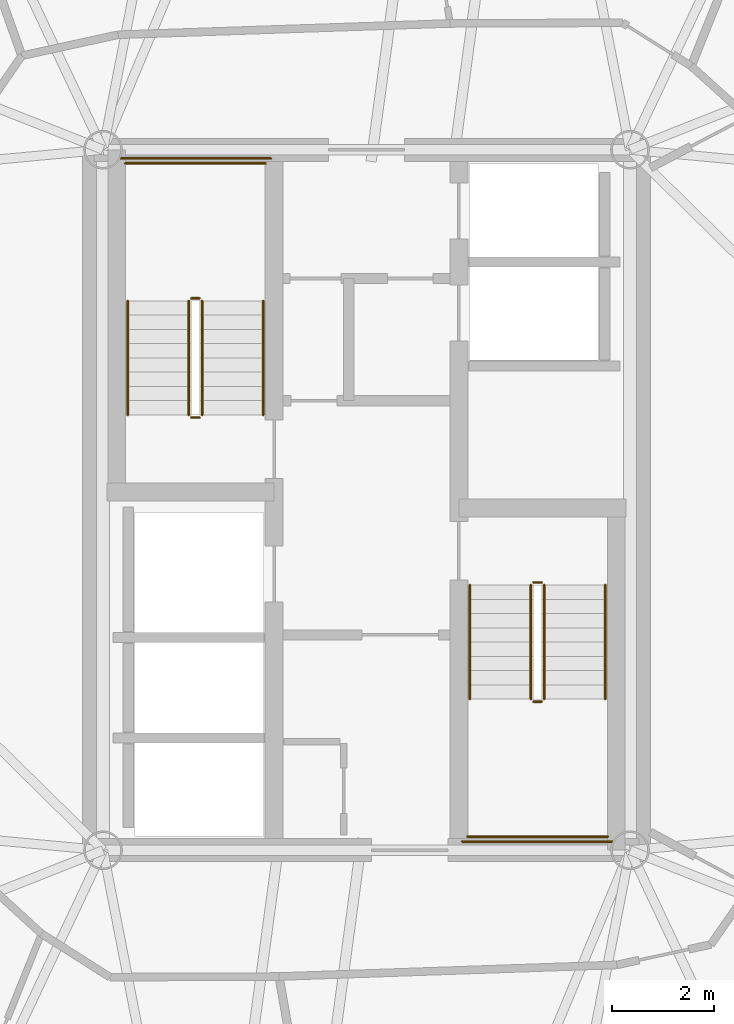
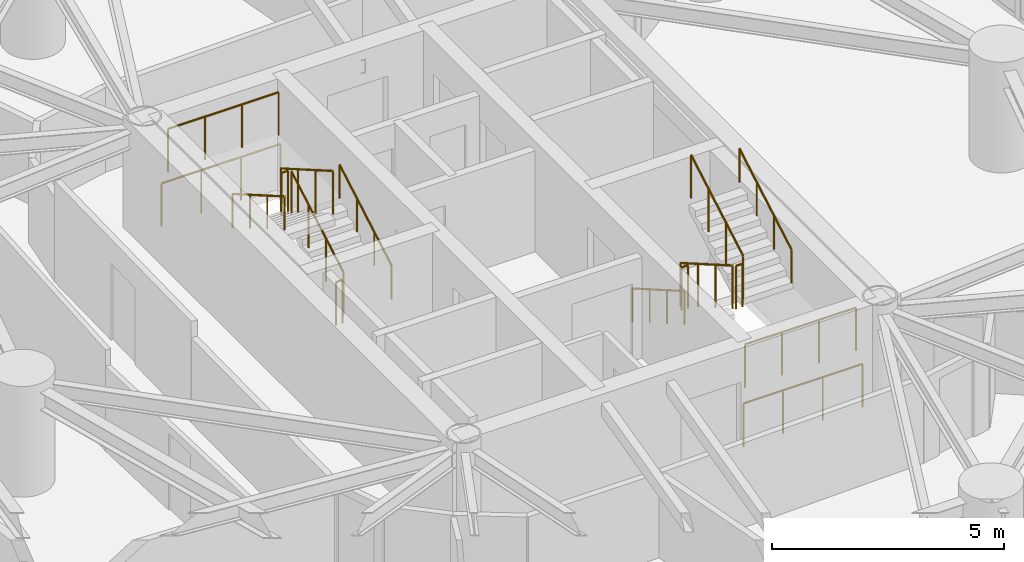
# One storey, part 16 of 17: 16 railings.
"""IFC4 building model written with IfcOpenShell, lengths in metres."""

from ifc_helpers import new_model, si_unit, direction, frame, origin, origin_2d, place, context, subcontext, project, spatial, circle, extrude, material, type_object, element, save


model = new_model("IFC4")

# Units and contexts
model_context = context("Model", 3, precision=1e-05, world=origin(), true_north=direction((0.0, 1.0)))
body_context = subcontext(model_context, "Body", "Model", "MODEL_VIEW")
ifc_project = project(units=[si_unit("LENGTHUNIT", "METRE"), si_unit("AREAUNIT", "SQUARE_METRE"), si_unit("VOLUMEUNIT", "CUBIC_METRE"), si_unit("PLANEANGLEUNIT", "RADIAN"), si_unit("MASSUNIT", "GRAM", prefix="KILO")], contexts=[model_context])

# Site, building, storey
site_placement = place(None, origin())
site = spatial("IfcSite", under=ifc_project, at=site_placement, CompositionType="ELEMENT")
building_placement = place(site_placement, origin())
building = spatial("IfcBuilding", under=site, at=building_placement, Name="Cununo Teusaquillo Station Towers", CompositionType="ELEMENT")
storey_placement = place(building_placement, frame((0.0, 0.0, 116.7099609375)))
storey = spatial("IfcBuildingStorey", under=building, at=storey_placement, Name="L37", CompositionType="ELEMENT", Elevation=116.7099609375)

# Railings
ifc_material_1 = material(Name="Steel EN 10025-2 S355J2", Category="steel")
railing_type_1 = type_object("IfcRailingType", Name="RL-INT-GUARD", PredefinedType="GUARDRAIL", material=ifc_material_1)
railing_1_placement = place(storey_placement, frame((13.27001953125, 26.169921875, 0.16162109375)))
element("IfcRailing", 1, at=railing_1_placement, inside=storey, type_object=railing_type_1, Name="L37 ST-T1-1 stair guard 1", PredefinedType="GUARDRAIL", context=body_context, shape_type="SweptSolid", body=[
    extrude(circle(Radius=0.02392578125, at=origin_2d()), frame((0.0, 0.0, 1.1259765625), z_axis=(0.0, 0.865992244559, 0.500057429065), x_axis=(-1.0, 0.0, 0.0)), (0.0, 0.0, 1.0), 2.586669921875),
    extrude(circle(Radius=0.02099609375, at=origin_2d()), origin(), (0.0, 0.0, 1.0), 1.101806640625),
    extrude(circle(Radius=0.02099609375, at=origin_2d()), frame((0.0, 0.74658203125, 0.43115234375)), (0.0, 0.0, 1.0), 1.101806640625),
    extrude(circle(Radius=0.02099609375, at=origin_2d()), frame((0.0, 1.493408203125, 0.8623046875)), (0.0, 0.0, 1.0), 1.101806640625),
    extrude(circle(Radius=0.02099609375, at=origin_2d()), frame((0.0, 2.239990234375, 1.29345703125)), (0.0, 0.0, 1.0), 1.101806640625),
])
railing_2_placement = place(storey_placement, frame((13.219970703125, 28.4599609375, 1.455078125)))
element("IfcRailing", 2, at=railing_2_placement, inside=storey, type_object=railing_type_1, Name="L37 ST-T1-1 stair guard 2", PredefinedType="GUARDRAIL", context=body_context, shape_type="SweptSolid", body=[
    extrude(circle(Radius=0.02392578125, at=origin_2d()), frame((0.0, 0.0, 1.1259765625), z_axis=(-1.0, 0.0, 0.0), x_axis=(0.0, -1.0, 0.0)), (0.0, 0.0, 1.0), 0.159912109375),
    extrude(circle(Radius=0.02099609375, at=origin_2d()), origin(), (0.0, 0.0, 1.0), 1.101806640625),
    extrude(circle(Radius=0.02099609375, at=origin_2d()), frame((-0.159912109375, 0.0, 0.0)), (0.0, 0.0, 1.0), 1.101806640625),
])
railing_3_placement = place(storey_placement, frame((14.52001953125, 31.110107421875, 1.455078125)))
element("IfcRailing", 3, at=railing_3_placement, inside=storey, type_object=railing_type_1, Name="L37 ST-T1-1 stair guard 3", PredefinedType="GUARDRAIL", context=body_context, shape_type="SweptSolid", body=[
    extrude(circle(Radius=0.02392578125, at=origin_2d()), frame((0.0, 0.0, 1.1259765625), z_axis=(-1.0, 0.0, 0.0), x_axis=(0.0, -1.0, 0.0)), (0.0, 0.0, 1.0), 2.760009765625),
    extrude(circle(Radius=0.02099609375, at=origin_2d()), origin(), (0.0, 0.0, 1.0), 1.101806640625),
    extrude(circle(Radius=0.02099609375, at=origin_2d()), frame((-0.919921875, 0.0, 0.0)), (0.0, 0.0, 1.0), 1.101806640625),
    extrude(circle(Radius=0.02099609375, at=origin_2d()), frame((-1.840087890625, 0.0, 0.0)), (0.0, 0.0, 1.0), 1.101806640625),
    extrude(circle(Radius=0.02099609375, at=origin_2d()), frame((-2.760009765625, 0.0, 0.0)), (0.0, 0.0, 1.0), 1.101806640625),
])
railing_4_placement = place(storey_placement, frame((13.010009765625, 28.409912109375, 1.61669921875)))
element("IfcRailing", 4, at=railing_4_placement, inside=storey, type_object=railing_type_1, Name="L37 ST-T1-1 stair guard 4", PredefinedType="GUARDRAIL", context=body_context, shape_type="SweptSolid", body=[
    extrude(circle(Radius=0.02392578125, at=origin_2d()), frame((0.0, 0.0, 1.1259765625), z_axis=(0.0, -0.865992244559, 0.500057429065), x_axis=(1.0, 0.0, 0.0)), (0.0, 0.0, 1.0), 2.586669921875),
    extrude(circle(Radius=0.02099609375, at=origin_2d()), origin(), (0.0, 0.0, 1.0), 1.101806640625),
    extrude(circle(Radius=0.02099609375, at=origin_2d()), frame((0.0, -0.74658203125, 0.43115234375)), (0.0, 0.0, 1.0), 1.101806640625),
    extrude(circle(Radius=0.02099609375, at=origin_2d()), frame((0.0, -1.493408203125, 0.8623046875)), (0.0, 0.0, 1.0), 1.101806640625),
    extrude(circle(Radius=0.02099609375, at=origin_2d()), frame((0.0, -2.239990234375, 1.29345703125)), (0.0, 0.0, 1.0), 1.101806640625),
])
railing_5_placement = place(storey_placement, frame((13.219970703125, 26.1201171875, 0.0)))
element("IfcRailing", 5, at=railing_5_placement, inside=storey, type_object=railing_type_1, Name="L37 ST-T1-1 stair guard 5", PredefinedType="GUARDRAIL", context=body_context, shape_type="SweptSolid", body=[
    extrude(circle(Radius=0.02392578125, at=origin_2d()), frame((0.0, 0.0, 1.1259765625), z_axis=(-1.0, 0.0, 0.0), x_axis=(0.0, -1.0, 0.0)), (0.0, 0.0, 1.0), 0.159912109375),
    extrude(circle(Radius=0.02099609375, at=origin_2d()), origin(), (0.0, 0.0, 1.0), 1.101806640625),
    extrude(circle(Radius=0.02099609375, at=origin_2d()), frame((-0.159912109375, 0.0, 0.0)), (0.0, 0.0, 1.0), 1.101806640625),
])
railing_6_placement = place(storey_placement, frame((14.6201171875, 31.2099609375, 0.0)))
element("IfcRailing", 6, at=railing_6_placement, inside=storey, type_object=railing_type_1, Name="L37 ST-T1-1 stair guard 6", PredefinedType="GUARDRAIL", context=body_context, shape_type="SweptSolid", body=[
    extrude(circle(Radius=0.02392578125, at=origin_2d()), frame((0.0, 0.0, 1.1259765625), z_axis=(-1.0, 0.0, 0.0), x_axis=(0.0, -1.0, 0.0)), (0.0, 0.0, 1.0), 2.960205078125),
    extrude(circle(Radius=0.02099609375, at=origin_2d()), origin(), (0.0, 0.0, 1.0), 1.101806640625),
    extrude(circle(Radius=0.02099609375, at=origin_2d()), frame((-0.98681640625, 0.0, 0.0)), (0.0, 0.0, 1.0), 1.101806640625),
    extrude(circle(Radius=0.02099609375, at=origin_2d()), frame((-1.973388671875, 0.0, 0.0)), (0.0, 0.0, 1.0), 1.101806640625),
    extrude(circle(Radius=0.02099609375, at=origin_2d()), frame((-2.960205078125, 0.0, 0.0)), (0.0, 0.0, 1.0), 1.101806640625),
])
railing_7_placement = place(storey_placement, frame((19.72998046875, 22.830078125, 0.16162109375)))
element("IfcRailing", 7, at=railing_7_placement, inside=storey, type_object=railing_type_1, Name="L37 ST-T1-2 stair guard 1", PredefinedType="GUARDRAIL", context=body_context, shape_type="SweptSolid", body=[
    extrude(circle(Radius=0.02392578125, at=origin_2d()), frame((0.0, 0.0, 1.1259765625), z_axis=(0.0, -0.865992244559, 0.500057429065), x_axis=(1.0, 0.0, 0.0)), (0.0, 0.0, 1.0), 2.586669921875),
    extrude(circle(Radius=0.02099609375, at=origin_2d()), origin(), (0.0, 0.0, 1.0), 1.101806640625),
    extrude(circle(Radius=0.02099609375, at=origin_2d()), frame((0.0, -0.74658203125, 0.43115234375)), (0.0, 0.0, 1.0), 1.101806640625),
    extrude(circle(Radius=0.02099609375, at=origin_2d()), frame((0.0, -1.493408203125, 0.8623046875)), (0.0, 0.0, 1.0), 1.101806640625),
    extrude(circle(Radius=0.02099609375, at=origin_2d()), frame((0.0, -2.239990234375, 1.29345703125)), (0.0, 0.0, 1.0), 1.101806640625),
])
railing_8_placement = place(storey_placement, frame((19.780029296875, 20.5400390625, 1.455078125)))
element("IfcRailing", 8, at=railing_8_placement, inside=storey, type_object=railing_type_1, Name="L37 ST-T1-2 stair guard 2", PredefinedType="GUARDRAIL", context=body_context, shape_type="SweptSolid", body=[
    extrude(circle(Radius=0.02392578125, at=origin_2d()), frame((0.0, 0.0, 1.1259765625), z_axis=(1.0, 0.0, 0.0), x_axis=(0.0, 1.0, 0.0)), (0.0, 0.0, 1.0), 0.159912109375),
    extrude(circle(Radius=0.02099609375, at=origin_2d()), origin(), (0.0, 0.0, 1.0), 1.101806640625),
    extrude(circle(Radius=0.02099609375, at=origin_2d()), frame((0.159912109375, 0.0, 0.0)), (0.0, 0.0, 1.0), 1.101806640625),
])
railing_9_placement = place(storey_placement, frame((18.47998046875, 17.889892578125, 1.455078125)))
element("IfcRailing", 9, at=railing_9_placement, inside=storey, type_object=railing_type_1, Name="L37 ST-T1-2 stair guard 3", PredefinedType="GUARDRAIL", context=body_context, shape_type="SweptSolid", body=[
    extrude(circle(Radius=0.02392578125, at=origin_2d()), frame((0.0, 0.0, 1.1259765625), z_axis=(1.0, 0.0, 0.0), x_axis=(0.0, 1.0, 0.0)), (0.0, 0.0, 1.0), 2.760009765625),
    extrude(circle(Radius=0.02099609375, at=origin_2d()), origin(), (0.0, 0.0, 1.0), 1.101806640625),
    extrude(circle(Radius=0.02099609375, at=origin_2d()), frame((0.919921875, 0.0, 0.0)), (0.0, 0.0, 1.0), 1.101806640625),
    extrude(circle(Radius=0.02099609375, at=origin_2d()), frame((1.840087890625, 0.0, 0.0)), (0.0, 0.0, 1.0), 1.101806640625),
    extrude(circle(Radius=0.02099609375, at=origin_2d()), frame((2.760009765625, 0.0, 0.0)), (0.0, 0.0, 1.0), 1.101806640625),
])
railing_10_placement = place(storey_placement, frame((19.989990234375, 20.590087890625, 1.61669921875)))
element("IfcRailing", 10, at=railing_10_placement, inside=storey, type_object=railing_type_1, Name="L37 ST-T1-2 stair guard 4", PredefinedType="GUARDRAIL", context=body_context, shape_type="SweptSolid", body=[
    extrude(circle(Radius=0.02392578125, at=origin_2d()), frame((0.0, 0.0, 1.1259765625), z_axis=(0.0, 0.865992244559, 0.500057429065), x_axis=(-1.0, 0.0, 0.0)), (0.0, 0.0, 1.0), 2.586669921875),
    extrude(circle(Radius=0.02099609375, at=origin_2d()), origin(), (0.0, 0.0, 1.0), 1.101806640625),
    extrude(circle(Radius=0.02099609375, at=origin_2d()), frame((0.0, 0.74658203125, 0.43115234375)), (0.0, 0.0, 1.0), 1.101806640625),
    extrude(circle(Radius=0.02099609375, at=origin_2d()), frame((0.0, 1.493408203125, 0.8623046875)), (0.0, 0.0, 1.0), 1.101806640625),
    extrude(circle(Radius=0.02099609375, at=origin_2d()), frame((0.0, 2.239990234375, 1.29345703125)), (0.0, 0.0, 1.0), 1.101806640625),
])
railing_11_placement = place(storey_placement, frame((19.780029296875, 22.8798828125, 0.0)))
element("IfcRailing", 11, at=railing_11_placement, inside=storey, type_object=railing_type_1, Name="L37 ST-T1-2 stair guard 5", PredefinedType="GUARDRAIL", context=body_context, shape_type="SweptSolid", body=[
    extrude(circle(Radius=0.02392578125, at=origin_2d()), frame((0.0, 0.0, 1.1259765625), z_axis=(1.0, 0.0, 0.0), x_axis=(0.0, 1.0, 0.0)), (0.0, 0.0, 1.0), 0.159912109375),
    extrude(circle(Radius=0.02099609375, at=origin_2d()), origin(), (0.0, 0.0, 1.0), 1.101806640625),
    extrude(circle(Radius=0.02099609375, at=origin_2d()), frame((0.159912109375, 0.0, 0.0)), (0.0, 0.0, 1.0), 1.101806640625),
])
railing_12_placement = place(storey_placement, frame((18.3798828125, 17.7900390625, 0.0)))
element("IfcRailing", 12, at=railing_12_placement, inside=storey, type_object=railing_type_1, Name="L37 ST-T1-2 stair guard 6", PredefinedType="GUARDRAIL", context=body_context, shape_type="SweptSolid", body=[
    extrude(circle(Radius=0.02392578125, at=origin_2d()), frame((0.0, 0.0, 1.1259765625), z_axis=(1.0, 0.0, 0.0), x_axis=(0.0, 1.0, 0.0)), (0.0, 0.0, 1.0), 2.960205078125),
    extrude(circle(Radius=0.02099609375, at=origin_2d()), origin(), (0.0, 0.0, 1.0), 1.101806640625),
    extrude(circle(Radius=0.02099609375, at=origin_2d()), frame((0.98681640625, 0.0, 0.0)), (0.0, 0.0, 1.0), 1.101806640625),
    extrude(circle(Radius=0.02099609375, at=origin_2d()), frame((1.973388671875, 0.0, 0.0)), (0.0, 0.0, 1.0), 1.101806640625),
    extrude(circle(Radius=0.02099609375, at=origin_2d()), frame((2.960205078125, 0.0, 0.0)), (0.0, 0.0, 1.0), 1.101806640625),
])
ifc_material_2 = material(Name="Steel EN 10025-2 S355J2", Category="steel")
railing_type_2 = type_object("IfcRailingType", Name="RL-INT-HRAIL", PredefinedType="HANDRAIL", material=ifc_material_2)
railing_13_placement = place(storey_placement, frame((14.469970703125, 26.169921875, 0.16162109375)))
element("IfcRailing", 13, at=railing_13_placement, inside=storey, type_object=railing_type_2, Name="L37 ST-T1-1 stair handrail 1", PredefinedType="HANDRAIL", context=body_context, shape_type="SweptSolid", body=[
    extrude(circle(Radius=0.02392578125, at=origin_2d()), frame((0.0, 0.0, 0.8759765625), z_axis=(0.0, 0.865992244559, 0.500057429065), x_axis=(-1.0, 0.0, 0.0)), (0.0, 0.0, 1.0), 2.586669921875),
    extrude(circle(Radius=0.02099609375, at=origin_2d()), origin(), (0.0, 0.0, 1.0), 0.851806640625),
    extrude(circle(Radius=0.02099609375, at=origin_2d()), frame((0.0, 0.74658203125, 0.43115234375)), (0.0, 0.0, 1.0), 0.851806640625),
    extrude(circle(Radius=0.02099609375, at=origin_2d()), frame((0.0, 1.493408203125, 0.8623046875)), (0.0, 0.0, 1.0), 0.851806640625),
    extrude(circle(Radius=0.02099609375, at=origin_2d()), frame((0.0, 2.239990234375, 1.29345703125)), (0.0, 0.0, 1.0), 0.851806640625),
])
for number, where, name in (
    (14, (11.81005859375, 28.409912109375, 1.61669921875), "L37 ST-T1-1 stair handrail 2"),
    (15, (18.530029296875, 22.830078125, 0.16162109375), "L37 ST-T1-2 stair handrail 1"),
):
    element("IfcRailing", number, at=place(storey_placement, frame(where)), inside=storey, type_object=railing_type_2, Name=name, PredefinedType="HANDRAIL", context=body_context, shape_type="SweptSolid", body=[
        extrude(circle(Radius=0.02392578125, at=origin_2d()), frame((0.0, 0.0, 0.8759765625), z_axis=(0.0, -0.865992244559, 0.500057429065), x_axis=(1.0, 0.0, 0.0)), (0.0, 0.0, 1.0), 2.586669921875),
        extrude(circle(Radius=0.02099609375, at=origin_2d()), origin(), (0.0, 0.0, 1.0), 0.851806640625),
        extrude(circle(Radius=0.02099609375, at=origin_2d()), frame((0.0, -0.74658203125, 0.43115234375)), (0.0, 0.0, 1.0), 0.851806640625),
        extrude(circle(Radius=0.02099609375, at=origin_2d()), frame((0.0, -1.493408203125, 0.8623046875)), (0.0, 0.0, 1.0), 0.851806640625),
        extrude(circle(Radius=0.02099609375, at=origin_2d()), frame((0.0, -2.239990234375, 1.29345703125)), (0.0, 0.0, 1.0), 0.851806640625),
    ])
railing_14_placement = place(storey_placement, frame((21.18994140625, 20.590087890625, 1.61669921875)))
element("IfcRailing", 16, at=railing_14_placement, inside=storey, type_object=railing_type_2, Name="L37 ST-T1-2 stair handrail 2", PredefinedType="HANDRAIL", context=body_context, shape_type="SweptSolid", body=[
    extrude(circle(Radius=0.02392578125, at=origin_2d()), frame((0.0, 0.0, 0.8759765625), z_axis=(0.0, 0.865992244559, 0.500057429065), x_axis=(-1.0, 0.0, 0.0)), (0.0, 0.0, 1.0), 2.586669921875),
    extrude(circle(Radius=0.02099609375, at=origin_2d()), origin(), (0.0, 0.0, 1.0), 0.851806640625),
    extrude(circle(Radius=0.02099609375, at=origin_2d()), frame((0.0, 0.74658203125, 0.43115234375)), (0.0, 0.0, 1.0), 0.851806640625),
    extrude(circle(Radius=0.02099609375, at=origin_2d()), frame((0.0, 1.493408203125, 0.8623046875)), (0.0, 0.0, 1.0), 0.851806640625),
    extrude(circle(Radius=0.02099609375, at=origin_2d()), frame((0.0, 2.239990234375, 1.29345703125)), (0.0, 0.0, 1.0), 0.851806640625),
])

save(model, "model.ifc")
